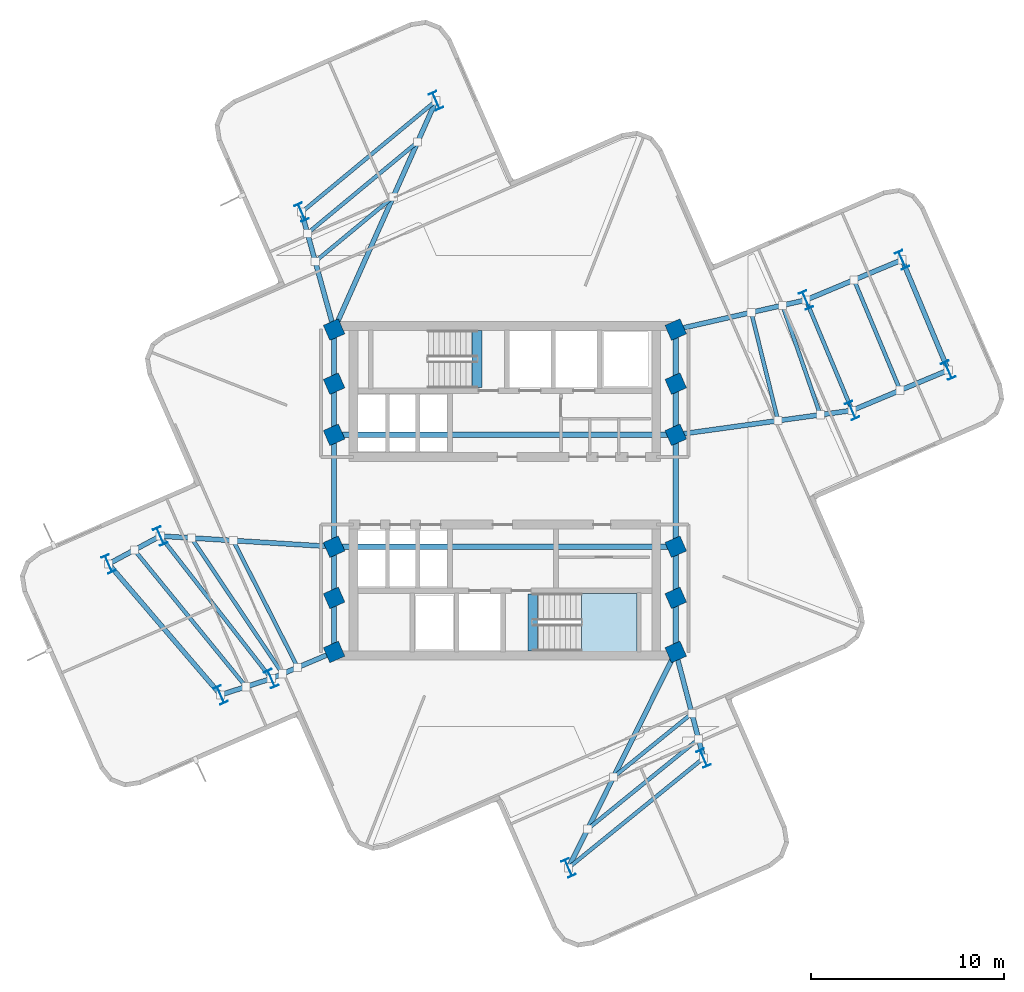
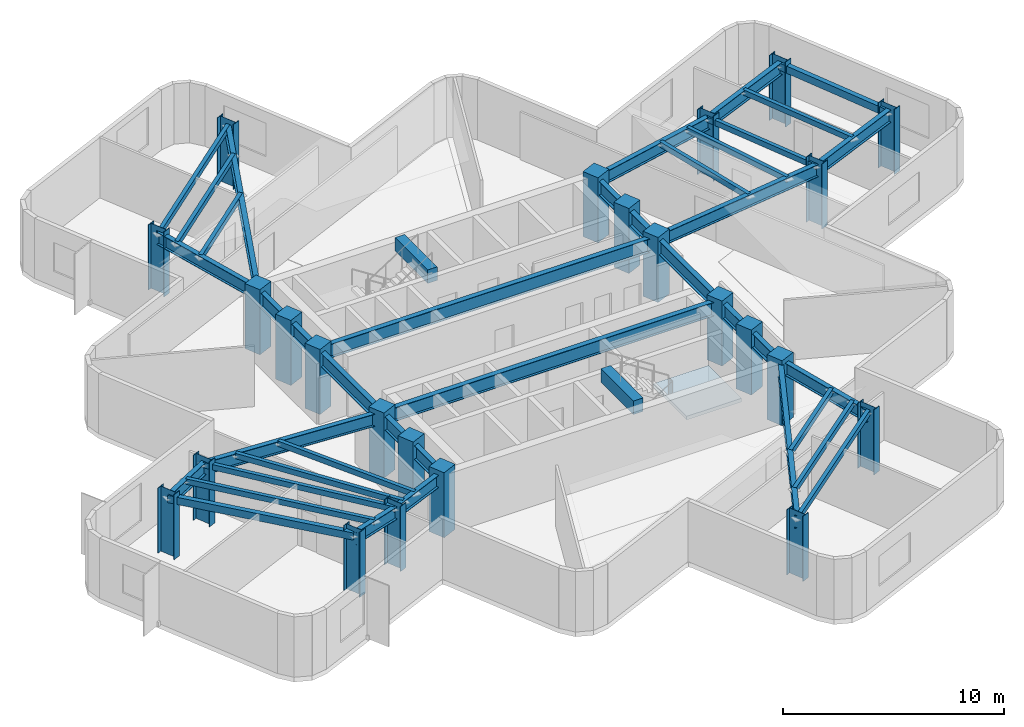
# One storey, part 1 of 8: 42 beams, 24 columns, 1 slab, 1 element without a shape of its own.
"""IFC4 building model written with IfcOpenShell, lengths in metres."""

from ifc_helpers import new_model, si_unit, direction, frame, origin, origin_2d, place, context, subcontext, project, spatial, polyline, rectangle, hollow_rectangle, i_section, outline, extrude, material, layer, layer_set, material_profile, profile_set, type_object, element, aggregate, save


model = new_model("IFC4")

# Units and contexts
model_context = context("Model", 3, precision=1e-05, world=origin(), true_north=direction((0.0, 1.0)))
body_context = subcontext(model_context, "Body", "Model", "MODEL_VIEW")
ifc_project = project(units=[si_unit("LENGTHUNIT", "METRE"), si_unit("AREAUNIT", "SQUARE_METRE"), si_unit("VOLUMEUNIT", "CUBIC_METRE"), si_unit("PLANEANGLEUNIT", "RADIAN"), si_unit("MASSUNIT", "GRAM", prefix="KILO")], contexts=[model_context])

# Site, building, storey
site_placement = place(None, origin())
site = spatial("IfcSite", under=ifc_project, at=site_placement, CompositionType="ELEMENT")
building_placement = place(site_placement, origin())
building = spatial("IfcBuilding", under=site, at=building_placement, Name="Solmarez Civic Tower", CompositionType="ELEMENT")
storey_placement = place(building_placement, frame((0.0, 0.0, 181.080078125)))
storey = spatial("IfcBuildingStorey", under=building, at=storey_placement, Name="L48", CompositionType="ELEMENT", Elevation=181.080078125)

# Columns
ifc_material_1 = material(Name="Concrete C50/60", Category="concrete")
ifc_material_profile_1 = material_profile(ifc_material_1, rectangle(XDim=0.85009765625, YDim=0.85009765625, at=origin_2d()), Name="RC850X850")
ifc_profile_set_1 = profile_set([ifc_material_profile_1], Name="Concrete C50/60")
column_type_1 = type_object("IfcColumnType", Name="COL-RC850", PredefinedType="COLUMN", material=ifc_profile_set_1)
for number, where, z_axis, x_axis, name in (
    (1, (-8.85009765625, -5.550048828125, 0.0), (0.0, 0.0, 1.0), (0.916362729562, 0.400349032557, 0.0), "L48 Structural Column HC1"),
    (2, (-8.85009765625, -2.89990234375, 0.0), (0.0, 0.0, 1.0), (0.916362729562, 0.400349032557, 0.0), "L48 Structural Column HC2"),
    (3, (-8.85009765625, 2.89990234375, 0.0), (0.0, 0.0, 1.0), (0.916362729562, 0.400349032557, 0.0), "L48 Structural Column HC3"),
    (4, (-8.85009765625, 5.550048828125, 0.0), (0.0, 0.0, 1.0), (0.916362729562, 0.400349032557, 0.0), "L48 Structural Column HC4"),
    (5, (8.85009765625, -5.550048828125, 0.0), (0.0, 0.0, 1.0), (0.916362729562, 0.400349032557, 0.0), "L48 Structural Column HC5"),
    (6, (8.85009765625, -2.89990234375, 0.0), (0.0, 0.0, 1.0), (0.916362729562, 0.400349032557, 0.0), "L48 Structural Column HC6"),
    (7, (8.85009765625, 2.89990234375, 0.0), (0.0, 0.0, 1.0), (0.916362729562, 0.400349032557, 0.0), "L48 Structural Column HC7"),
    (8, (8.85009765625, 5.550048828125, 0.0), (0.0, 0.0, 1.0), (0.916362729562, 0.400349032557, 0.0), "L48 Structural Column HC8"),
    (9, (-8.85009765625, 8.35009765625, 0.0), (0.0, 0.0, 1.0), (0.916362729562, 0.400349032557, 0.0), "L48 Structural Column HC9"),
    (10, (8.85009765625, -8.35009765625, 0.0), (0.0, 0.0, 1.0), (0.916362729562, 0.400349032557, 0.0), "L48 Structural Column HC10"),
    (11, (8.85009765625, 8.35009765625, 0.0), (0.0, 0.0, 1.0), (0.916362729562, 0.400349032557, 0.0), "L48 Structural Column HC11"),
    (12, (-8.85009765625, -8.35009765625, 0.0), (0.0, 0.0, 1.0), (0.916362729562, 0.400349032557, 0.0), "L48 Structural Column HC12"),
):
    element("IfcColumn", number, at=place(storey_placement, frame(where, z_axis=z_axis, x_axis=x_axis)), inside=storey, type_object=column_type_1, Name=name, PredefinedType="COLUMN", context=body_context, shape_type="SweptSolid", body=[
        extrude(rectangle(XDim=0.85009765625, YDim=0.85009765625, at=origin_2d()), origin(), (0.0, 0.0, 1.0), 3.599853515625),
    ])
ifc_material_2 = material(Name="Steel S355", Category="steel")
ifc_material_profile_2 = material_profile(ifc_material_2, i_section(OverallWidth=0.41796875, OverallDepth=0.927001953125, WebThickness=0.019287109375, FlangeThickness=0.031982421875, at=origin_2d()), Name="W36X231")
ifc_profile_set_2 = profile_set([ifc_material_profile_2], Name="Steel S355")
column_type_2 = type_object("IfcColumnType", Name="COL-W36X231", PredefinedType="COLUMN", material=ifc_profile_set_2)
for number, where, z_axis, x_axis, name in (
    (13, (17.987060546875, 4.1640625, 0.0), (0.0, 0.0, 1.0), (0.916362729562, 0.400349032557, 0.0), "L48 Structural Column EA11"),
    (14, (15.593994140625, 9.883056640625, 0.0), (0.0, 0.0, 1.0), (0.916362729562, 0.400349032557, 0.0), "L48 Structural Column EA12"),
    (15, (22.968017578125, 6.248046875, 0.0), (0.0, 0.0, 1.0), (0.916362729562, 0.400349032557, 0.0), "L48 Structural Column EA21"),
    (16, (20.575927734375, 11.967041015625, 0.0), (0.0, 0.0, 1.0), (0.916362729562, 0.400349032557, 0.0), "L48 Structural Column EA22"),
    (17, (-3.570068359375, 20.20703125, 0.0), (0.0, 0.0, 1.0), (0.916362729562, 0.400349032557, 0.0), "L48 Structural Column NA11"),
    (18, (-10.532958984375, 14.43310546875, 0.0), (0.0, 0.0, 1.0), (0.916362729562, 0.400349032557, 0.0), "L48 Structural Column NA12"),
    (19, (-17.85791015625, -2.345947265625, 0.0), (0.0, 0.0, 1.0), (0.916362729562, 0.400349032557, 0.0), "L48 Structural Column WA11"),
    (20, (-12.10595703125, -9.73095703125, 0.0), (0.0, 0.0, 1.0), (0.916362729562, 0.400349032557, 0.0), "L48 Structural Column WA12"),
    (21, (-20.534912109375, -3.7880859375, 0.0), (0.0, 0.0, 1.0), (0.916362729562, 0.400349032557, 0.0), "L48 Structural Column WA21"),
    (22, (-14.73095703125, -10.572998046875, 0.0), (0.0, 0.0, 1.0), (0.916362729562, 0.400349032557, 0.0), "L48 Structural Column WA22"),
    (23, (3.2900390625, -19.535888671875, 0.0), (0.0, 0.0, 1.0), (0.916362729562, 0.400349032557, 0.0), "L48 Structural Column SA11"),
    (24, (10.2900390625, -13.85009765625, 0.0), (0.0, 0.0, 1.0), (0.916362729562, 0.400349032557, 0.0), "L48 Structural Column SA12"),
):
    element("IfcColumn", number, at=place(storey_placement, frame(where, z_axis=z_axis, x_axis=x_axis)), inside=storey, type_object=column_type_2, Name=name, PredefinedType="COLUMN", context=body_context, shape_type="SweptSolid", body=[
        extrude(i_section(OverallWidth=0.41796875, OverallDepth=0.927001953125, WebThickness=0.019287109375, FlangeThickness=0.031982421875, at=origin_2d()), origin(), (0.0, 0.0, 1.0), 3.599853515625),
    ])

# Beams
ifc_material_profile_3 = material_profile(ifc_material_2, hollow_rectangle(XDim=0.199951171875, YDim=0.300048828125, WallThickness=0.011962890625, at=origin_2d()), Name="HSS300X200X12")
ifc_profile_set_3 = profile_set([ifc_material_profile_3], Name="Steel S355")
beam_type_1 = type_object("IfcBeamType", Name="BM-JS-HSS300X200", PredefinedType="JOIST", material=ifc_profile_set_3)
beam_1_placement = place(storey_placement, frame((17.987060546875, 4.1640625, 3.18994140625), z_axis=(-0.386010282684, 0.922494477849, 0.0), x_axis=(-0.922494477849, -0.386010282684, 0.0)))
element("IfcBeam", 25, at=beam_1_placement, inside=storey, type_object=beam_type_1, Name="L48 Secondary Floor Joist BM-L48-EA-T1", PredefinedType="JOIST", context=body_context, shape_type="SweptSolid", body=[
    extrude(hollow_rectangle(XDim=0.199951171875, YDim=0.300048828125, WallThickness=0.011962890625, at=origin_2d()), origin(), (0.0, 0.0, 1.0), 6.199462890625),
])
beam_2_placement = place(storey_placement, frame((20.47705078125, 5.2060546875, 3.18994140625), z_axis=(-0.385876218946, 0.922550564279, 0.0), x_axis=(-0.922550564279, -0.385876218946, 0.0)))
element("IfcBeam", 26, at=beam_2_placement, inside=storey, type_object=beam_type_1, Name="L48 Secondary Floor Joist JS-L48-EA-M2", PredefinedType="JOIST", context=body_context, shape_type="SweptSolid", body=[
    extrude(hollow_rectangle(XDim=0.199951171875, YDim=0.300048828125, WallThickness=0.011962890625, at=origin_2d()), origin(), (0.0, 0.0, 1.0), 6.19921875),
])
beam_3_placement = place(storey_placement, frame((14.14892578125, 3.633056640625, 3.18994140625), z_axis=(-0.240167471374, 0.970731469405, 0.0), x_axis=(-0.970731469405, -0.240167471374, 0.0)))
element("IfcBeam", 27, at=beam_3_placement, inside=storey, type_object=beam_type_1, Name="L48 Secondary Floor Joist JS-L48-EA-M11", PredefinedType="JOIST", context=body_context, shape_type="SweptSolid", body=[
    extrude(hollow_rectangle(XDim=0.199951171875, YDim=0.300048828125, WallThickness=0.011962890625, at=origin_2d()), origin(), (0.0, 0.0, 1.0), 5.77490234375),
])
beam_4_placement = place(storey_placement, frame((16.342041015625, 3.93603515625, 3.18994140625), z_axis=(-0.326984797789, 0.945029598486, 0.0), x_axis=(-0.945029598486, -0.326984797789, 0.0)))
element("IfcBeam", 28, at=beam_4_placement, inside=storey, type_object=beam_type_1, Name="L48 Secondary Floor Joist JS-L48-EA-M12", PredefinedType="JOIST", context=body_context, shape_type="SweptSolid", body=[
    extrude(hollow_rectangle(XDim=0.199951171875, YDim=0.300048828125, WallThickness=0.011962890625, at=origin_2d()), origin(), (0.0, 0.0, 1.0), 6.000732421875),
])
beam_5_placement = place(storey_placement, frame((-3.570068359375, 20.20703125, 3.18994140625), z_axis=(-0.769767664309, -0.638324167633, 0.0), x_axis=(0.638324167633, -0.769767664309, 0.0)))
element("IfcBeam", 29, at=beam_5_placement, inside=storey, type_object=beam_type_1, Name="L48 Secondary Floor Joist BM-L48-NA-T1", PredefinedType="JOIST", context=body_context, shape_type="SweptSolid", body=[
    extrude(hollow_rectangle(XDim=0.199951171875, YDim=0.300048828125, WallThickness=0.011962890625, at=origin_2d()), origin(), (0.0, 0.0, 1.0), 9.04541015625),
])
beam_6_placement = place(storey_placement, frame((-5.7880859375, 15.22705078125, 3.18994140625), z_axis=(-0.76969549019, -0.63841119381, 0.0), x_axis=(0.63841119381, -0.76969549019, 0.0)))
element("IfcBeam", 30, at=beam_6_placement, inside=storey, type_object=beam_type_1, Name="L48 Secondary Floor Joist JS-L48-NA-M11", PredefinedType="JOIST", context=body_context, shape_type="SweptSolid", body=[
    extrude(hollow_rectangle(XDim=0.199951171875, YDim=0.300048828125, WallThickness=0.011962890625, at=origin_2d()), origin(), (0.0, 0.0, 1.0), 5.24609375),
])
beam_7_placement = place(storey_placement, frame((-4.52001953125, 18.072998046875, 3.18994140625), z_axis=(-0.769756777075, -0.638337296535, 0.0), x_axis=(0.638337296535, -0.769756777075, 0.0)))
element("IfcBeam", 31, at=beam_7_placement, inside=storey, type_object=beam_type_1, Name="L48 Secondary Floor Joist JS-L48-NA-M12", PredefinedType="JOIST", context=body_context, shape_type="SweptSolid", body=[
    extrude(hollow_rectangle(XDim=0.199951171875, YDim=0.300048828125, WallThickness=0.011962890625, at=origin_2d()), origin(), (0.0, 0.0, 1.0), 7.41796875),
])
beam_8_placement = place(storey_placement, frame((-17.85791015625, -2.345947265625, 3.18994140625), z_axis=(0.614476744631, -0.788934934141, 0.0), x_axis=(0.788934934141, 0.614476744631, 0.0)))
element("IfcBeam", 32, at=beam_8_placement, inside=storey, type_object=beam_type_1, Name="L48 Secondary Floor Joist BM-L48-WA-T1", PredefinedType="JOIST", context=body_context, shape_type="SweptSolid", body=[
    extrude(hollow_rectangle(XDim=0.199951171875, YDim=0.300048828125, WallThickness=0.011962890625, at=origin_2d()), origin(), (0.0, 0.0, 1.0), 9.36083984375),
])
beam_9_placement = place(storey_placement, frame((-19.197021484375, -3.06689453125, 3.18994140625), z_axis=(0.632062174253, -0.77491767813, 0.0), x_axis=(0.77491767813, 0.632062174253, 0.0)))
element("IfcBeam", 33, at=beam_9_placement, inside=storey, type_object=beam_type_1, Name="L48 Secondary Floor Joist JS-L48-WA-M2", PredefinedType="JOIST", context=body_context, shape_type="SweptSolid", body=[
    extrude(hollow_rectangle(XDim=0.199951171875, YDim=0.300048828125, WallThickness=0.011962890625, at=origin_2d()), origin(), (0.0, 0.0, 1.0), 9.14306640625),
])
beam_10_placement = place(storey_placement, frame((-14.074951171875, -2.5791015625, 3.18994140625), z_axis=(0.452743410654, -0.891640849282, 0.0), x_axis=(0.891640849282, 0.452743410654, 0.0)))
element("IfcBeam", 34, at=beam_10_placement, inside=storey, type_object=beam_type_1, Name="L48 Secondary Floor Joist JS-L48-WA-M11", PredefinedType="JOIST", context=body_context, shape_type="SweptSolid", body=[
    extrude(hollow_rectangle(XDim=0.199951171875, YDim=0.300048828125, WallThickness=0.011962890625, at=origin_2d()), origin(), (0.0, 0.0, 1.0), 7.370361328125),
])
beam_11_placement = place(storey_placement, frame((-16.237060546875, -2.446044921875, 3.18994140625), z_axis=(0.556859935783, -0.830606412159, 0.0), x_axis=(0.830606412159, 0.556859935783, 0.0)))
element("IfcBeam", 35, at=beam_11_placement, inside=storey, type_object=beam_type_1, Name="L48 Secondary Floor Joist JS-L48-WA-M12", PredefinedType="JOIST", context=body_context, shape_type="SweptSolid", body=[
    extrude(hollow_rectangle(XDim=0.199951171875, YDim=0.300048828125, WallThickness=0.011962890625, at=origin_2d()), origin(), (0.0, 0.0, 1.0), 8.470703125),
])
beam_12_placement = place(storey_placement, frame((3.2900390625, -19.535888671875, 3.18994140625), z_axis=(0.776206737012, 0.630478470225, 0.0), x_axis=(-0.630478470225, 0.776206737012, 0.0)))
element("IfcBeam", 36, at=beam_12_placement, inside=storey, type_object=beam_type_1, Name="L48 Secondary Floor Joist BM-L48-SA-T1", PredefinedType="JOIST", context=body_context, shape_type="SweptSolid", body=[
    extrude(hollow_rectangle(XDim=0.199951171875, YDim=0.300048828125, WallThickness=0.011962890625, at=origin_2d()), origin(), (0.0, 0.0, 1.0), 9.018310546875),
])
beam_13_placement = place(storey_placement, frame((5.625, -14.837890625, 3.18994140625), z_axis=(0.776202509922, 0.630483674325, 0.0), x_axis=(-0.630483674325, 0.776202509922, 0.0)))
element("IfcBeam", 37, at=beam_13_placement, inside=storey, type_object=beam_type_1, Name="L48 Secondary Floor Joist JS-L48-SA-M11", PredefinedType="JOIST", context=body_context, shape_type="SweptSolid", body=[
    extrude(hollow_rectangle(XDim=0.199951171875, YDim=0.300048828125, WallThickness=0.011962890625, at=origin_2d()), origin(), (0.0, 0.0, 1.0), 5.230712890625),
])
beam_14_placement = place(storey_placement, frame((4.291015625, -17.52294921875, 3.18994140625), z_axis=(0.776173575786, 0.630519294115, 0.0), x_axis=(-0.630519294115, 0.776173575786, 0.0)))
element("IfcBeam", 38, at=beam_14_placement, inside=storey, type_object=beam_type_1, Name="L48 Secondary Floor Joist JS-L48-SA-M12", PredefinedType="JOIST", context=body_context, shape_type="SweptSolid", body=[
    extrude(hollow_rectangle(XDim=0.199951171875, YDim=0.300048828125, WallThickness=0.011962890625, at=origin_2d()), origin(), (0.0, 0.0, 1.0), 7.395263671875),
])
ifc_material_profile_4 = material_profile(ifc_material_1, rectangle(XDim=0.5, YDim=0.75, at=origin_2d()), Name="RC500X750")
ifc_profile_set_4 = profile_set([ifc_material_profile_4], Name="Concrete C50/60")
beam_type_2 = type_object("IfcBeamType", Name="BM-PR-RC500X750", PredefinedType="BEAM", material=ifc_profile_set_4)
for number, where, z_axis, x_axis, name in (
    (39, (-1.449951171875, 5.340087890625, 3.23291015625), (0.0, 1.0, 0.0), (-1.0, 0.0, 0.0), "L48 North Stair Threshold Beam"),
    (40, (1.449951171875, -8.300048828125, 3.23291015625), (0.0, 1.0, 0.0), (-1.0, 0.0, 0.0), "L48 South Stair Threshold Beam"),
):
    element("IfcBeam", number, at=place(storey_placement, frame(where, z_axis=z_axis, x_axis=x_axis)), inside=storey, type_object=beam_type_2, Name=name, PredefinedType="BEAM", context=body_context, shape_type="SweptSolid", body=[
        extrude(rectangle(XDim=0.5, YDim=0.75, at=origin_2d()), origin(), (0.0, 0.0, 1.0), 2.9599609375),
    ])
ifc_material_profile_5 = material_profile(ifc_material_2, i_section(OverallWidth=0.25390625, OverallDepth=0.68798828125, WebThickness=0.01318359375, FlangeThickness=0.02099609375, at=origin_2d()), Name="W27X102")
ifc_profile_set_5 = profile_set([ifc_material_profile_5], Name="Steel S355")
beam_type_3 = type_object("IfcBeamType", Name="BM-PR-W27X102", PredefinedType="BEAM", material=ifc_profile_set_5)
beam_15_placement = place(storey_placement, frame((8.85009765625, 2.89990234375, 2.995849609375), z_axis=(0.990563968355, 0.137051175101, 0.0), x_axis=(-0.137051175101, 0.990563968355, 0.0)))
element("IfcBeam", 41, at=beam_15_placement, inside=storey, type_object=beam_type_3, Name="L48 Primary Floor Beam BM-L48-EA-R1A", PredefinedType="BEAM", context=body_context, shape_type="SweptSolid", body=[
    extrude(i_section(OverallWidth=0.25390625, OverallDepth=0.68798828125, WebThickness=0.01318359375, FlangeThickness=0.02099609375, at=origin_2d()), origin(), (0.0, 0.0, 1.0), 9.22412109375),
])
beam_16_placement = place(storey_placement, frame((8.85009765625, 8.35009765625, 2.995849609375), z_axis=(0.975124879448, 0.221656196577, 0.0), x_axis=(-0.221656196577, 0.975124879448, 0.0)))
element("IfcBeam", 42, at=beam_16_placement, inside=storey, type_object=beam_type_3, Name="L48 Primary Floor Beam BM-L48-EA-R1B", PredefinedType="BEAM", context=body_context, shape_type="SweptSolid", body=[
    extrude(i_section(OverallWidth=0.25390625, OverallDepth=0.68798828125, WebThickness=0.01318359375, FlangeThickness=0.02099609375, at=origin_2d()), origin(), (0.0, 0.0, 1.0), 6.916015625),
])
beam_17_placement = place(storey_placement, frame((17.987060546875, 4.1640625, 2.995849609375), z_axis=(0.922511388683, 0.385969866376, 0.0), x_axis=(-0.385969866376, 0.922511388683, 0.0)))
element("IfcBeam", 43, at=beam_17_placement, inside=storey, type_object=beam_type_3, Name="L48 Primary Floor Beam BM-L48-EA-R2A", PredefinedType="BEAM", context=body_context, shape_type="SweptSolid", body=[
    extrude(i_section(OverallWidth=0.25390625, OverallDepth=0.68798828125, WebThickness=0.01318359375, FlangeThickness=0.02099609375, at=origin_2d()), origin(), (0.0, 0.0, 1.0), 5.3994140625),
])
beam_18_placement = place(storey_placement, frame((15.593994140625, 9.883056640625, 2.995849609375), z_axis=(0.922538326171, 0.385905476438, 0.0), x_axis=(-0.385905476438, 0.922538326171, 0.0)))
element("IfcBeam", 44, at=beam_18_placement, inside=storey, type_object=beam_type_3, Name="L48 Primary Floor Beam BM-L48-EA-R2B", PredefinedType="BEAM", context=body_context, shape_type="SweptSolid", body=[
    extrude(i_section(OverallWidth=0.25390625, OverallDepth=0.68798828125, WebThickness=0.01318359375, FlangeThickness=0.02099609375, at=origin_2d()), origin(), (0.0, 0.0, 1.0), 5.400146484375),
])
beam_19_placement = place(storey_placement, frame((-8.85009765625, 8.35009765625, 2.995849609375), z_axis=(0.406799805731, 0.9135173332, 0.0), x_axis=(-0.9135173332, 0.406799805731, 0.0)))
element("IfcBeam", 45, at=beam_19_placement, inside=storey, type_object=beam_type_3, Name="L48 Primary Floor Beam BM-L48-NA-R1A", PredefinedType="BEAM", context=body_context, shape_type="SweptSolid", body=[
    extrude(i_section(OverallWidth=0.25390625, OverallDepth=0.68798828125, WebThickness=0.01318359375, FlangeThickness=0.02099609375, at=origin_2d()), origin(), (0.0, 0.0, 1.0), 12.9794921875),
])
beam_20_placement = place(storey_placement, frame((-8.85009765625, 8.35009765625, 2.995849609375), z_axis=(-0.266634219494, 0.963797796737, 0.0), x_axis=(-0.963797796737, -0.266634219494, 0.0)))
element("IfcBeam", 46, at=beam_20_placement, inside=storey, type_object=beam_type_3, Name="L48 Primary Floor Beam BM-L48-NA-R1B", PredefinedType="BEAM", context=body_context, shape_type="SweptSolid", body=[
    extrude(i_section(OverallWidth=0.25390625, OverallDepth=0.68798828125, WebThickness=0.01318359375, FlangeThickness=0.02099609375, at=origin_2d()), origin(), (0.0, 0.0, 1.0), 6.3115234375),
])
beam_21_placement = place(storey_placement, frame((-8.85009765625, -2.89990234375, 2.995849609375), z_axis=(-0.998114395047, 0.061381221877, 0.0), x_axis=(-0.061381221877, -0.998114395047, 0.0)))
element("IfcBeam", 47, at=beam_21_placement, inside=storey, type_object=beam_type_3, Name="L48 Primary Floor Beam BM-L48-WA-R1A", PredefinedType="BEAM", context=body_context, shape_type="SweptSolid", body=[
    extrude(i_section(OverallWidth=0.25390625, OverallDepth=0.68798828125, WebThickness=0.01318359375, FlangeThickness=0.02099609375, at=origin_2d()), origin(), (0.0, 0.0, 1.0), 9.02490234375),
])
beam_22_placement = place(storey_placement, frame((-8.85009765625, -8.35009765625, 2.995849609375), z_axis=(-0.920623894701, -0.390450566019, 0.0), x_axis=(0.390450566019, -0.920623894701, 0.0)))
element("IfcBeam", 48, at=beam_22_placement, inside=storey, type_object=beam_type_3, Name="L48 Primary Floor Beam BM-L48-WA-R1B", PredefinedType="BEAM", context=body_context, shape_type="SweptSolid", body=[
    extrude(i_section(OverallWidth=0.25390625, OverallDepth=0.68798828125, WebThickness=0.01318359375, FlangeThickness=0.02099609375, at=origin_2d()), origin(), (0.0, 0.0, 1.0), 3.53662109375),
])
beam_23_placement = place(storey_placement, frame((-17.85791015625, -2.345947265625, 2.995849609375), z_axis=(-0.880378270924, -0.474272179329, 0.0), x_axis=(0.474272179329, -0.880378270924, 0.0)))
element("IfcBeam", 49, at=beam_23_placement, inside=storey, type_object=beam_type_3, Name="L48 Primary Floor Beam BM-L48-WA-R2A", PredefinedType="BEAM", context=body_context, shape_type="SweptSolid", body=[
    extrude(i_section(OverallWidth=0.25390625, OverallDepth=0.68798828125, WebThickness=0.01318359375, FlangeThickness=0.02099609375, at=origin_2d()), origin(), (0.0, 0.0, 1.0), 3.040771484375),
])
beam_24_placement = place(storey_placement, frame((-12.10595703125, -9.73095703125, 2.995849609375), z_axis=(-0.952208998703, -0.305447250421, 0.0), x_axis=(0.305447250421, -0.952208998703, 0.0)))
element("IfcBeam", 50, at=beam_24_placement, inside=storey, type_object=beam_type_3, Name="L48 Primary Floor Beam BM-L48-WA-R2B", PredefinedType="BEAM", context=body_context, shape_type="SweptSolid", body=[
    extrude(i_section(OverallWidth=0.25390625, OverallDepth=0.68798828125, WebThickness=0.01318359375, FlangeThickness=0.02099609375, at=origin_2d()), origin(), (0.0, 0.0, 1.0), 2.7568359375),
])
beam_25_placement = place(storey_placement, frame((8.85009765625, -8.35009765625, 2.995849609375), z_axis=(-0.44510935737, -0.895476219663, 0.0), x_axis=(0.895476219663, -0.44510935737, 0.0)))
element("IfcBeam", 51, at=beam_25_placement, inside=storey, type_object=beam_type_3, Name="L48 Primary Floor Beam BM-L48-SA-R1A", PredefinedType="BEAM", context=body_context, shape_type="SweptSolid", body=[
    extrude(i_section(OverallWidth=0.25390625, OverallDepth=0.68798828125, WebThickness=0.01318359375, FlangeThickness=0.02099609375, at=origin_2d()), origin(), (0.0, 0.0, 1.0), 12.491455078125),
])
beam_26_placement = place(storey_placement, frame((8.85009765625, -8.35009765625, 2.995849609375), z_axis=(0.253271365575, -0.967395273598, 0.0), x_axis=(0.967395273598, 0.253271365575, 0.0)))
element("IfcBeam", 52, at=beam_26_placement, inside=storey, type_object=beam_type_3, Name="L48 Primary Floor Beam BM-L48-SA-R1B", PredefinedType="BEAM", context=body_context, shape_type="SweptSolid", body=[
    extrude(i_section(OverallWidth=0.25390625, OverallDepth=0.68798828125, WebThickness=0.01318359375, FlangeThickness=0.02099609375, at=origin_2d()), origin(), (0.0, 0.0, 1.0), 5.685302734375),
])
ifc_material_profile_6 = material_profile(ifc_material_2, i_section(OverallWidth=0.26708984375, OverallDepth=0.761962890625, WebThickness=0.014404296875, FlangeThickness=0.021484375, at=origin_2d()), Name="W30X116")
ifc_profile_set_6 = profile_set([ifc_material_profile_6], Name="Steel S355")
beam_type_4 = type_object("IfcBeamType", Name="BM-PR-W30X116", PredefinedType="BEAM", material=ifc_profile_set_6)
beam_27_placement = place(storey_placement, frame((-8.85009765625, -8.35009765625, 2.958984375), z_axis=(0.0, 1.0, 0.0), x_axis=(-1.0, 0.0, 0.0)))
element("IfcBeam", 53, at=beam_27_placement, inside=storey, type_object=beam_type_4, Name="L48 Primary Floor Beam BM-L48-HC12-HC1", PredefinedType="BEAM", context=body_context, shape_type="SweptSolid", body=[
    extrude(i_section(OverallWidth=0.26708984375, OverallDepth=0.761962890625, WebThickness=0.014404296875, FlangeThickness=0.021484375, at=origin_2d()), origin(), (0.0, 0.0, 1.0), 2.800048828125),
])
beam_28_placement = place(storey_placement, frame((-8.85009765625, -5.550048828125, 2.958984375), z_axis=(0.0, 1.0, 0.0), x_axis=(-1.0, 0.0, 0.0)))
element("IfcBeam", 54, at=beam_28_placement, inside=storey, type_object=beam_type_4, Name="L48 Primary Floor Beam BM-L48-HC1-HC2", PredefinedType="BEAM", context=body_context, shape_type="SweptSolid", body=[
    extrude(i_section(OverallWidth=0.26708984375, OverallDepth=0.761962890625, WebThickness=0.014404296875, FlangeThickness=0.021484375, at=origin_2d()), origin(), (0.0, 0.0, 1.0), 2.650146484375),
])
beam_29_placement = place(storey_placement, frame((-8.85009765625, -2.89990234375, 2.958984375), z_axis=(0.0, 1.0, 0.0), x_axis=(-1.0, 0.0, 0.0)))
element("IfcBeam", 55, at=beam_29_placement, inside=storey, type_object=beam_type_4, Name="L48 Primary Floor Beam BM-L48-HC2-HC3", PredefinedType="BEAM", context=body_context, shape_type="SweptSolid", body=[
    extrude(i_section(OverallWidth=0.26708984375, OverallDepth=0.761962890625, WebThickness=0.014404296875, FlangeThickness=0.021484375, at=origin_2d()), origin(), (0.0, 0.0, 1.0), 5.7998046875),
])
beam_30_placement = place(storey_placement, frame((-8.85009765625, 2.89990234375, 2.958984375), z_axis=(0.0, 1.0, 0.0), x_axis=(-1.0, 0.0, 0.0)))
element("IfcBeam", 56, at=beam_30_placement, inside=storey, type_object=beam_type_4, Name="L48 Primary Floor Beam BM-L48-HC3-HC4", PredefinedType="BEAM", context=body_context, shape_type="SweptSolid", body=[
    extrude(i_section(OverallWidth=0.26708984375, OverallDepth=0.761962890625, WebThickness=0.014404296875, FlangeThickness=0.021484375, at=origin_2d()), origin(), (0.0, 0.0, 1.0), 2.650146484375),
])
for number, where, z_axis, x_axis, name in (
    (57, (-8.85009765625, 5.550048828125, 2.958984375), (0.0, 1.0, 0.0), (-1.0, 0.0, 0.0), "L48 Primary Floor Beam BM-L48-HC4-HC9"),
    (58, (8.85009765625, -8.35009765625, 2.958984375), (0.0, 1.0, 0.0), (-1.0, 0.0, 0.0), "L48 Primary Floor Beam BM-L48-HC10-HC5"),
):
    element("IfcBeam", number, at=place(storey_placement, frame(where, z_axis=z_axis, x_axis=x_axis)), inside=storey, type_object=beam_type_4, Name=name, PredefinedType="BEAM", context=body_context, shape_type="SweptSolid", body=[
        extrude(i_section(OverallWidth=0.26708984375, OverallDepth=0.761962890625, WebThickness=0.014404296875, FlangeThickness=0.021484375, at=origin_2d()), origin(), (0.0, 0.0, 1.0), 2.800048828125),
    ])
beam_31_placement = place(storey_placement, frame((8.85009765625, -5.550048828125, 2.958984375), z_axis=(0.0, 1.0, 0.0), x_axis=(-1.0, 0.0, 0.0)))
element("IfcBeam", 59, at=beam_31_placement, inside=storey, type_object=beam_type_4, Name="L48 Primary Floor Beam BM-L48-HC5-HC6", PredefinedType="BEAM", context=body_context, shape_type="SweptSolid", body=[
    extrude(i_section(OverallWidth=0.26708984375, OverallDepth=0.761962890625, WebThickness=0.014404296875, FlangeThickness=0.021484375, at=origin_2d()), origin(), (0.0, 0.0, 1.0), 2.650146484375),
])
beam_32_placement = place(storey_placement, frame((8.85009765625, -2.89990234375, 2.958984375), z_axis=(0.0, 1.0, 0.0), x_axis=(-1.0, 0.0, 0.0)))
element("IfcBeam", 60, at=beam_32_placement, inside=storey, type_object=beam_type_4, Name="L48 Primary Floor Beam BM-L48-HC6-HC7", PredefinedType="BEAM", context=body_context, shape_type="SweptSolid", body=[
    extrude(i_section(OverallWidth=0.26708984375, OverallDepth=0.761962890625, WebThickness=0.014404296875, FlangeThickness=0.021484375, at=origin_2d()), origin(), (0.0, 0.0, 1.0), 5.7998046875),
])
beam_33_placement = place(storey_placement, frame((8.85009765625, 2.89990234375, 2.958984375), z_axis=(0.0, 1.0, 0.0), x_axis=(-1.0, 0.0, 0.0)))
element("IfcBeam", 61, at=beam_33_placement, inside=storey, type_object=beam_type_4, Name="L48 Primary Floor Beam BM-L48-HC7-HC8", PredefinedType="BEAM", context=body_context, shape_type="SweptSolid", body=[
    extrude(i_section(OverallWidth=0.26708984375, OverallDepth=0.761962890625, WebThickness=0.014404296875, FlangeThickness=0.021484375, at=origin_2d()), origin(), (0.0, 0.0, 1.0), 2.650146484375),
])
beam_34_placement = place(storey_placement, frame((8.85009765625, 5.550048828125, 2.958984375), z_axis=(0.0, 1.0, 0.0), x_axis=(-1.0, 0.0, 0.0)))
element("IfcBeam", 62, at=beam_34_placement, inside=storey, type_object=beam_type_4, Name="L48 Primary Floor Beam BM-L48-HC8-HC11", PredefinedType="BEAM", context=body_context, shape_type="SweptSolid", body=[
    extrude(i_section(OverallWidth=0.26708984375, OverallDepth=0.761962890625, WebThickness=0.014404296875, FlangeThickness=0.021484375, at=origin_2d()), origin(), (0.0, 0.0, 1.0), 2.800048828125),
])
for number, where, z_axis, x_axis, name in (
    (63, (-8.85009765625, -2.89990234375, 2.958984375), (1.0, 0.0, 0.0), (0.0, 1.0, 0.0), "L48 Primary Floor Beam BM-L48-HC2-HC6"),
    (64, (-8.85009765625, 2.89990234375, 2.958984375), (1.0, 0.0, 0.0), (0.0, 1.0, 0.0), "L48 Primary Floor Beam BM-L48-HC3-HC7"),
):
    element("IfcBeam", number, at=place(storey_placement, frame(where, z_axis=z_axis, x_axis=x_axis)), inside=storey, type_object=beam_type_4, Name=name, PredefinedType="BEAM", context=body_context, shape_type="SweptSolid", body=[
        extrude(i_section(OverallWidth=0.26708984375, OverallDepth=0.761962890625, WebThickness=0.014404296875, FlangeThickness=0.021484375, at=origin_2d()), origin(), (0.0, 0.0, 1.0), 17.7001953125),
    ])
ifc_material_profile_7 = material_profile(ifc_material_2, hollow_rectangle(XDim=0.25, YDim=0.39990234375, WallThickness=0.01611328125, at=origin_2d()), Name="HSS400X250X16")
ifc_profile_set_7 = profile_set([ifc_material_profile_7], Name="Steel S355")
beam_type_5 = type_object("IfcBeamType", Name="BM-SP-HSS400X250", PredefinedType="SPANDREL", material=ifc_profile_set_7)
beam_35_placement = place(storey_placement, frame((22.968017578125, 6.248046875, 3.139892578125), z_axis=(-0.385876218946, 0.922550564279, 0.0), x_axis=(-0.922550564279, -0.385876218946, 0.0)))
element("IfcBeam", 65, at=beam_35_placement, inside=storey, type_object=beam_type_5, Name="L48 Perimeter Spandrel Beam BM-L48-EA-T2", PredefinedType="SPANDREL", context=body_context, shape_type="SweptSolid", body=[
    extrude(hollow_rectangle(XDim=0.25, YDim=0.39990234375, WallThickness=0.01611328125, at=origin_2d()), origin(), (0.0, 0.0, 1.0), 6.19921875),
])
beam_36_placement = place(storey_placement, frame((-20.534912109375, -3.7880859375, 3.139892578125), z_axis=(0.650036693718, -0.759902820642, 0.0), x_axis=(0.759902820642, 0.650036693718, 0.0)))
element("IfcBeam", 66, at=beam_36_placement, inside=storey, type_object=beam_type_5, Name="L48 Perimeter Spandrel Beam BM-L48-WA-T2", PredefinedType="SPANDREL", context=body_context, shape_type="SweptSolid", body=[
    extrude(hollow_rectangle(XDim=0.25, YDim=0.39990234375, WallThickness=0.01611328125, at=origin_2d()), origin(), (0.0, 0.0, 1.0), 8.9287109375),
])

# Stair, slab
stair_type = type_object("IfcStairType", Name="STAIR-DOGLEG-140W-20R-1800", PredefinedType="HALF_TURN_STAIR", material=ifc_material_1)
stair_placement = place(storey_placement, origin())
stair = element("IfcStair", 67, at=stair_placement, inside=storey, type_object=stair_type, Name="L48 South Core Protected Exit Stair ST-2", PredefinedType="HALF_TURN_STAIR")
ifc_layer = layer(ifc_material_1, 0.199951171875)
ifc_layer_set = layer_set([ifc_layer], Name="Concrete C50/60")
slab_type = type_object("IfcSlabType", Name="SLAB-LANDING-200", PredefinedType="LANDING", material=ifc_layer_set)
slab_placement = place(storey_placement, frame((0.0, 0.0, 1.599853515625)))
slab = element("IfcSlab", 68, at=slab_placement, type_object=slab_type, Name="ST-2 landing 1", PredefinedType="LANDING", context=body_context, shape_type="SweptSolid", body=[
    extrude(outline(polyline([(3.969970703125, -8.320068359375), (6.85009765625, -8.320068359375), (6.85009765625, -5.320068359375), (3.969970703125, -5.320068359375), (3.969970703125, -8.320068359375)])), origin(), (0.0, 0.0, 1.0), 0.199951171875),
])
aggregate(stair, [slab])

save(model, "model.ifc")
